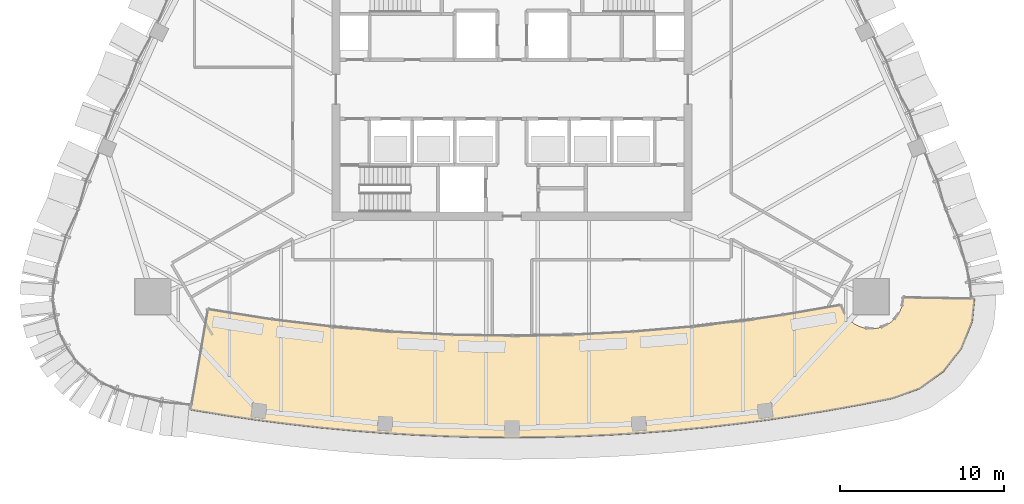
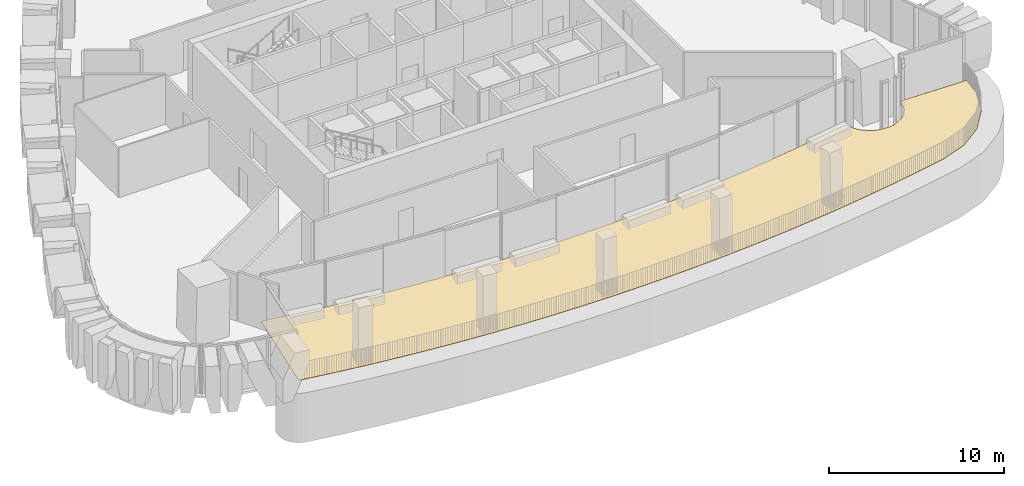
# One storey, part 18 of 22: 1 covering.
"""IFC4 building model written with IfcOpenShell, lengths in metres."""

from ifc_helpers import new_model, si_unit, direction, frame, origin, place, context, subcontext, project, spatial, polyline, outline, extrude, material, layer, layer_set, type_object, element, save


model = new_model("IFC4")

# Units and contexts
model_context = context("Model", 3, precision=1e-05, world=origin(), true_north=direction((0.0, 1.0)))
body_context = subcontext(model_context, "Body", "Model", "MODEL_VIEW")
ifc_project = project(units=[si_unit("LENGTHUNIT", "METRE"), si_unit("AREAUNIT", "SQUARE_METRE"), si_unit("VOLUMEUNIT", "CUBIC_METRE"), si_unit("PLANEANGLEUNIT", "RADIAN"), si_unit("MASSUNIT", "GRAM", prefix="KILO")], contexts=[model_context])

# Site, building, storey
site_placement = place(None, origin())
site = spatial("IfcSite", under=ifc_project, at=site_placement, CompositionType="ELEMENT")
building_placement = place(site_placement, origin())
building = spatial("IfcBuilding", under=site, at=building_placement, Name="Sierra Prisma Convention Tower", CompositionType="ELEMENT")
storey_placement = place(building_placement, frame((0.0, 0.0, 243.0)))
storey = spatial("IfcBuildingStorey", under=building, at=storey_placement, Name="L54", CompositionType="ELEMENT", Elevation=243.0)

# Covering
ifc_material = material(Name="Porcelain stoneware paving", Category="masonry")
ifc_layer = layer(ifc_material, 0.0400390625)
ifc_layer_set = layer_set([ifc_layer], Name="Terrace paving")
covering_type = type_object("IfcCoveringType", Name="Terrace paving", PredefinedType="FLOORING", material=ifc_layer_set)
covering_placement = place(storey_placement, origin())
element("IfcCovering", 1, at=covering_placement, inside=storey, type_object=covering_type, Name="Terrace paving L54", PredefinedType="FLOORING", context=body_context, shape_type="SweptSolid", body=[
    extrude(outline(polyline([(-19.643798828125, -19.603515625), (-19.419677734375, -19.64404296875), (-17.493896484375, -19.959228515625), (-15.56298828125, -20.2412109375), (-13.627685546875, -20.490478515625), (-11.688232421875, -20.70654296875), (-9.745361328125, -20.8896484375), (-7.7998046875, -21.039306640625), (-5.851806640625, -21.15576171875), (-3.902099609375, -21.239013671875), (-1.951416015625, -21.2890625), (0.0, -21.3056640625), (1.951416015625, -21.2890625), (3.902099609375, -21.239013671875), (5.851806640625, -21.15576171875), (7.7998046875, -21.039306640625), (9.745361328125, -20.8896484375), (11.688232421875, -20.70654296875), (13.627685546875, -20.490478515625), (15.56298828125, -20.2412109375), (17.493896484375, -19.959228515625), (19.419677734375, -19.64404296875), (21.33984375, -19.296142578125), (23.25390625, -18.91552734375), (24.931640625, -18.31201171875), (26.376708984375, -17.267333984375), (27.4755859375, -15.863037109375), (28.14208984375, -14.209228515625), (28.285888671875, -12.81005859375), (23.907958984375, -12.712646484375), (23.8291015625, -13.244873046875), (23.682373046875, -13.59912109375), (23.340576171875, -14.06005859375), (23.044189453125, -14.30322265625), (22.525390625, -14.548583984375), (22.1494140625, -14.62353515625), (21.576171875, -14.59521484375), (21.209228515625, -14.484130859375), (20.87109375, -14.30322265625), (20.57470703125, -14.06005859375), (20.33154296875, -13.763671875), (20.068603515625, -13.174560546875), (16.537353515625, -13.782470703125), (14.712158203125, -14.04931640625), (11.049072265625, -14.489013671875), (9.21240234375, -14.662109375), (7.373291015625, -14.8037109375), (3.688720703125, -14.992431640625), (0.0, -15.055419921875), (-3.688720703125, -14.992431640625), (-7.373291015625, -14.8037109375), (-9.21240234375, -14.662109375), (-11.049072265625, -14.489013671875), (-14.712158203125, -14.04931640625), (-18.576904296875, -13.431396484375), (-19.643798828125, -19.603515625)])), origin(), (0.0, 0.0, 1.0), 0.0400390625),
])

save(model, "model.ifc")
